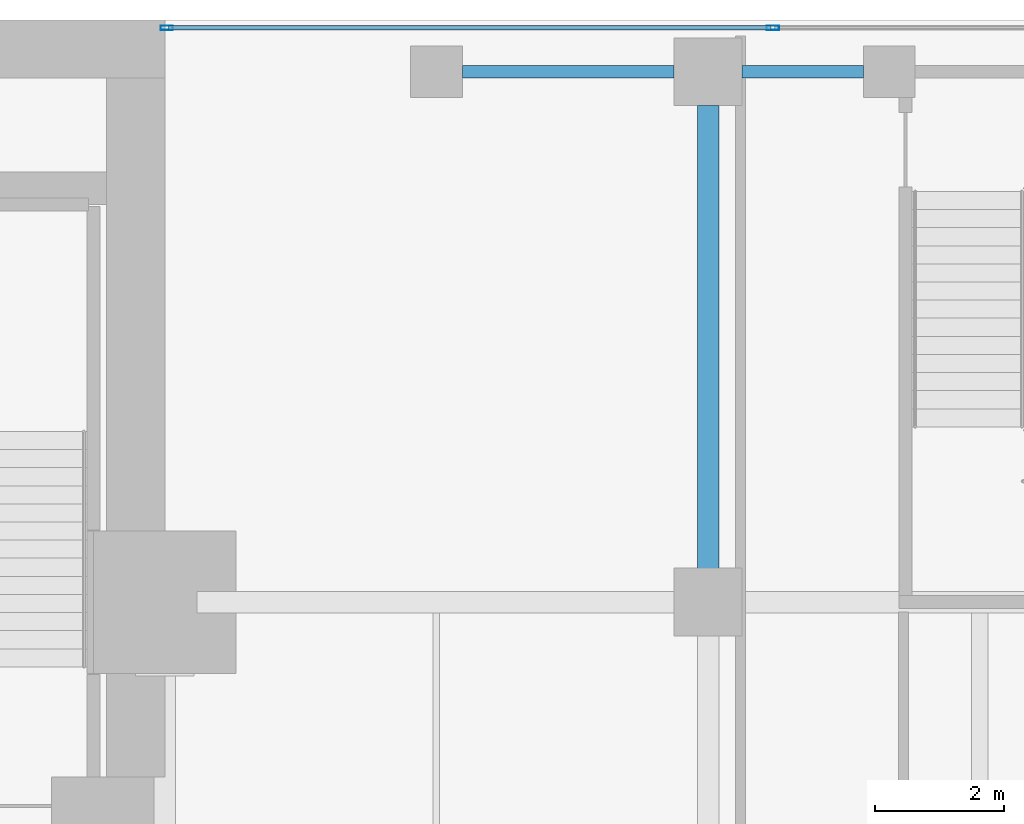
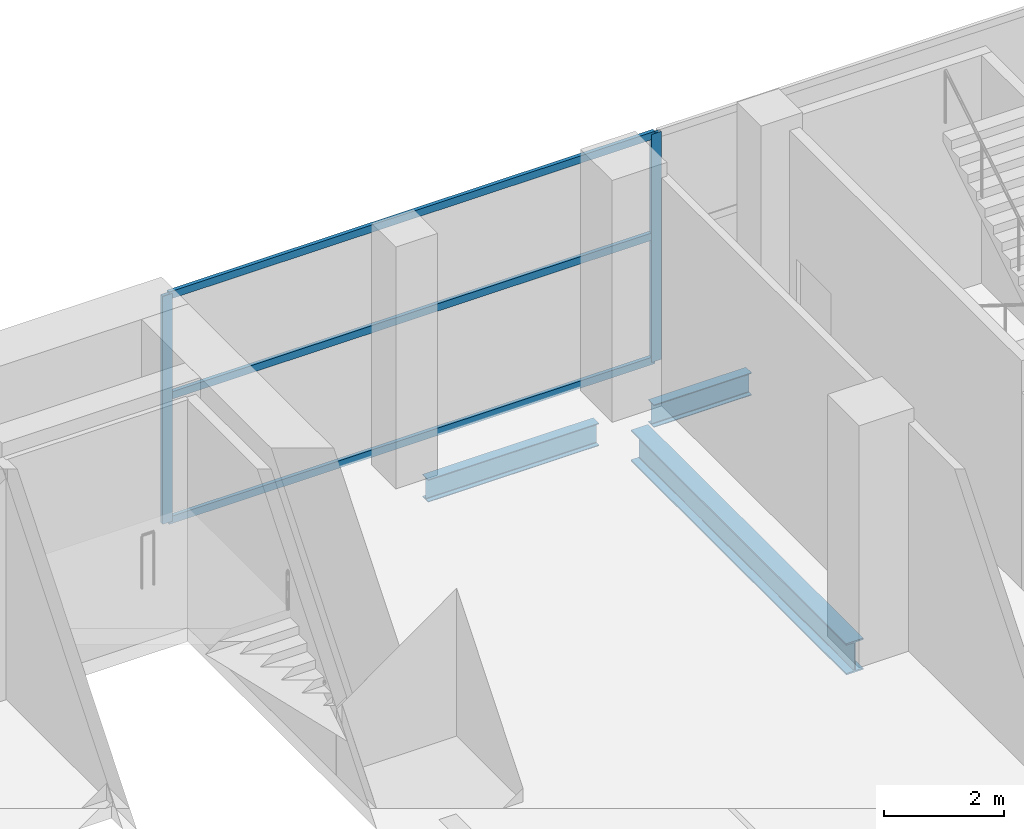
# One storey, part 23 of 39: 5 members, 3 beams, 1 element without a shape of its own.
"""IFC4 building model written with IfcOpenShell, lengths in metres."""

from ifc_helpers import new_model, si_unit, direction, frame, origin, origin_2d, place, context, subcontext, project, spatial, hollow_rectangle, i_section, extrude, material, layer, layer_set, material_profile, profile_set, type_object, element, aggregate, save


model = new_model("IFC4")

# Units and contexts
model_context = context("Model", 3, precision=1e-05, world=origin(), true_north=direction((0.0, 1.0)))
body_context = subcontext(model_context, "Body", "Model", "MODEL_VIEW")
ifc_project = project(units=[si_unit("LENGTHUNIT", "METRE"), si_unit("AREAUNIT", "SQUARE_METRE"), si_unit("VOLUMEUNIT", "CUBIC_METRE"), si_unit("PLANEANGLEUNIT", "RADIAN"), si_unit("MASSUNIT", "GRAM", prefix="KILO")], contexts=[model_context])

# Site, building, storey
site_placement = place(None, origin())
site = spatial("IfcSite", under=ifc_project, at=site_placement, CompositionType="ELEMENT")
building_placement = place(site_placement, origin())
building = spatial("IfcBuilding", under=site, at=building_placement, Name="Maruvema Waterfront Hotel and Observation Tower", CompositionType="ELEMENT")
storey_placement = place(building_placement, frame((0.0, 0.0, 16.449951171875)))
storey = spatial("IfcBuildingStorey", under=building, at=storey_placement, Name="L03", CompositionType="ELEMENT", Elevation=16.449951171875)

# Curtain wall, members
ifc_material_1 = material(Name="Anodised bronze aluminium and solar-control low-E IGU", Category="aluminium")
ifc_layer = layer(ifc_material_1, 0.159912109375, Name="Podium Waterfront Storefront Curtain Wall System CW-01")
ifc_layer_set = layer_set([ifc_layer], Name="Anodised bronze aluminium and solar-control low-E IGU")
curtain_wall_type = type_object("IfcCurtainWallType", Name="Podium Waterfront Storefront Curtain Wall System CW-01", PredefinedType="USERDEFINED", material=ifc_layer_set)
curtain_wall_placement = place(storey_placement, origin())
curtain_wall = element("IfcCurtainWall", 1, at=curtain_wall_placement, inside=storey, type_object=curtain_wall_type, Name="L03 Curtain Wall CW-L03-NE", ObjectType="UNITISED CURTAIN WALL", PredefinedType="USERDEFINED")
ifc_material_2 = material(Name="Anodised architectural bronze aluminium", Category="aluminium")
ifc_material_profile_1 = material_profile(ifc_material_2, hollow_rectangle(XDim=0.070068359375, YDim=0.14990234375, WallThickness=0.00390625, at=origin_2d()), Name="ALU-T70x150")
ifc_profile_set_1 = profile_set([ifc_material_profile_1], Name="Anodised architectural bronze aluminium")
member_type_1 = type_object("IfcMemberType", Name="Curtain Wall Horizontal Transom ALU-T70x150", PredefinedType="USERDEFINED", material=ifc_profile_set_1)
member_1_placement = place(storey_placement, frame((59.77001953125, 53.8798828125, 0.030029296875), z_axis=(-1.0, 0.0, 0.0), x_axis=(0.0, -1.0, 0.0)))
member_1 = element("IfcMember", 2, at=member_1_placement, type_object=member_type_1, Name="CW-01 transom 2.1", ObjectType="TRANSOM", PredefinedType="USERDEFINED", context=body_context, shape_type="SweptSolid", body=[
    extrude(hollow_rectangle(XDim=0.070068359375, YDim=0.14990234375, WallThickness=0.00390625, at=origin_2d()), origin(), (0.0, 0.0, 1.0), 9.31005859375),
])
member_2_placement = place(storey_placement, frame((59.77001953125, 53.8798828125, 2.550048828125), z_axis=(-1.0, 0.0, 0.0), x_axis=(0.0, -1.0, 0.0)))
member_2 = element("IfcMember", 3, at=member_2_placement, type_object=member_type_1, Name="CW-01 transom 2.2", ObjectType="TRANSOM", PredefinedType="USERDEFINED", context=body_context, shape_type="SweptSolid", body=[
    extrude(hollow_rectangle(XDim=0.070068359375, YDim=0.14990234375, WallThickness=0.00390625, at=origin_2d()), origin(), (0.0, 0.0, 1.0), 9.31005859375),
])
member_3_placement = place(storey_placement, frame((59.77001953125, 53.8798828125, 4.590087890625), z_axis=(-1.0, 0.0, 0.0), x_axis=(0.0, -1.0, 0.0)))
member_3 = element("IfcMember", 4, at=member_3_placement, type_object=member_type_1, Name="CW-01 transom 2.3", ObjectType="TRANSOM", PredefinedType="USERDEFINED", context=body_context, shape_type="SweptSolid", body=[
    extrude(hollow_rectangle(XDim=0.070068359375, YDim=0.14990234375, WallThickness=0.00390625, at=origin_2d()), origin(), (0.0, 0.0, 1.0), 9.31005859375),
])

# Beams
ifc_material_3 = material(Name="Steel ASTM A572 Grade 50", Category="steel")
ifc_material_profile_2 = material_profile(ifc_material_3, i_section(OverallWidth=0.18994140625, OverallDepth=0.45703125, WebThickness=0.009033203125, FlangeThickness=0.014404296875, FilletRadius=0.014892578125, at=origin_2d()), Name="W460x74.0")
ifc_profile_set_2 = profile_set([ifc_material_profile_2], Name="Steel ASTM A572 Grade 50")
beam_type_1 = type_object("IfcBeamType", Name="Perimeter Spandrel Beam W460x74.0", PredefinedType="SPANDREL", material=ifc_profile_set_2)
beam_1_placement = place(storey_placement, frame((55.0, 53.199951171875, -0.508544921875), z_axis=(1.0, 0.0, 0.0), x_axis=(0.0, 1.0, 0.0)))
element("IfcBeam", 5, at=beam_1_placement, inside=storey, type_object=beam_type_1, Name="L03 Floor Girder EW-38", PredefinedType="SPANDREL", context=body_context, shape_type="SweptSolid", body=[
    extrude(i_section(OverallWidth=0.18994140625, OverallDepth=0.45703125, WebThickness=0.009033203125, FlangeThickness=0.014404296875, FilletRadius=0.014892578125, at=origin_2d()), origin(), (0.0, 0.0, 1.0), 3.27490234375),
])
beam_2_placement = place(storey_placement, frame((59.324951171875, 53.199951171875, -0.508544921875), z_axis=(1.0, 0.0, 0.0), x_axis=(0.0, 1.0, 0.0)))
element("IfcBeam", 6, at=beam_2_placement, inside=storey, type_object=beam_type_1, Name="L03 Floor Girder EW-39", PredefinedType="SPANDREL", context=body_context, shape_type="SweptSolid", body=[
    extrude(i_section(OverallWidth=0.18994140625, OverallDepth=0.45703125, WebThickness=0.009033203125, FlangeThickness=0.014404296875, FilletRadius=0.014892578125, at=origin_2d()), origin(), (0.0, 0.0, 1.0), 1.875),
])

# Member
ifc_material_4 = material(Name="Anodised architectural bronze aluminium", Category="aluminium")
ifc_material_profile_3 = material_profile(ifc_material_4, hollow_rectangle(XDim=0.070068359375, YDim=0.18994140625, WallThickness=0.00390625, at=origin_2d()), Name="ALU-M70x190")
ifc_profile_set_3 = profile_set([ifc_material_profile_3], Name="Anodised architectural bronze aluminium")
member_type_2 = type_object("IfcMemberType", Name="Podium Storefront Heavy Mullion ALU-M70x190", PredefinedType="MULLION", material=ifc_profile_set_3)
member_4_placement = place(storey_placement, frame((59.800048828125, 53.8798828125, 0.0), z_axis=(0.0, 0.0, 1.0), x_axis=(0.0, -1.0, 0.0)))
member_4 = element("IfcMember", 7, at=member_4_placement, type_object=member_type_2, Name="CW-01 mullion 2", PredefinedType="MULLION", context=body_context, shape_type="SweptSolid", body=[
    extrude(hollow_rectangle(XDim=0.070068359375, YDim=0.18994140625, WallThickness=0.00390625, at=origin_2d()), origin(), (0.0, 0.0, 1.0), 4.6201171875),
])

member_5_placement = place(storey_placement, frame((50.429931640625, 53.8798828125, 0.0), z_axis=(0.0, 0.0, 1.0), x_axis=(0.0, -1.0, 0.0)))
member_5 = element("IfcMember", 8, at=member_5_placement, type_object=member_type_2, Name="CW-01 mullion 3", PredefinedType="MULLION", context=body_context, shape_type="SweptSolid", body=[
    extrude(hollow_rectangle(XDim=0.070068359375, YDim=0.18994140625, WallThickness=0.00390625, at=origin_2d()), origin(), (0.0, 0.0, 1.0), 4.6201171875),
])

aggregate(curtain_wall, [member_4, member_5, member_1, member_2, member_3])

# Beam
ifc_material_5 = material(Name="Steel ASTM A572 Grade 50", Category="steel")
ifc_material_profile_4 = material_profile(ifc_material_5, i_section(OverallWidth=0.3291015625, OverallDepth=0.635009765625, WebThickness=0.017822265625, FlangeThickness=0.031005859375, FilletRadius=0.01806640625, at=origin_2d()), Name="W610x241.0")
ifc_profile_set_4 = profile_set([ifc_material_profile_4], Name="Steel ASTM A572 Grade 50")
beam_type_2 = type_object("IfcBeamType", Name="Primary Floor Girder W610x241.0", PredefinedType="BEAM", material=ifc_profile_set_4)
beam_3_placement = place(storey_placement, frame((58.800048828125, 45.52490234375, -0.597412109375), z_axis=(0.0, 1.0, 0.0), x_axis=(-1.0, 0.0, 0.0)))
element("IfcBeam", 9, at=beam_3_placement, inside=storey, type_object=beam_type_2, Name="L03 Floor Girder NS-28", PredefinedType="BEAM", context=body_context, shape_type="SweptSolid", body=[
    extrude(i_section(OverallWidth=0.3291015625, OverallDepth=0.635009765625, WebThickness=0.017822265625, FlangeThickness=0.031005859375, FilletRadius=0.01806640625, at=origin_2d()), origin(), (0.0, 0.0, 1.0), 7.150146484375),
])

save(model, "model.ifc")
